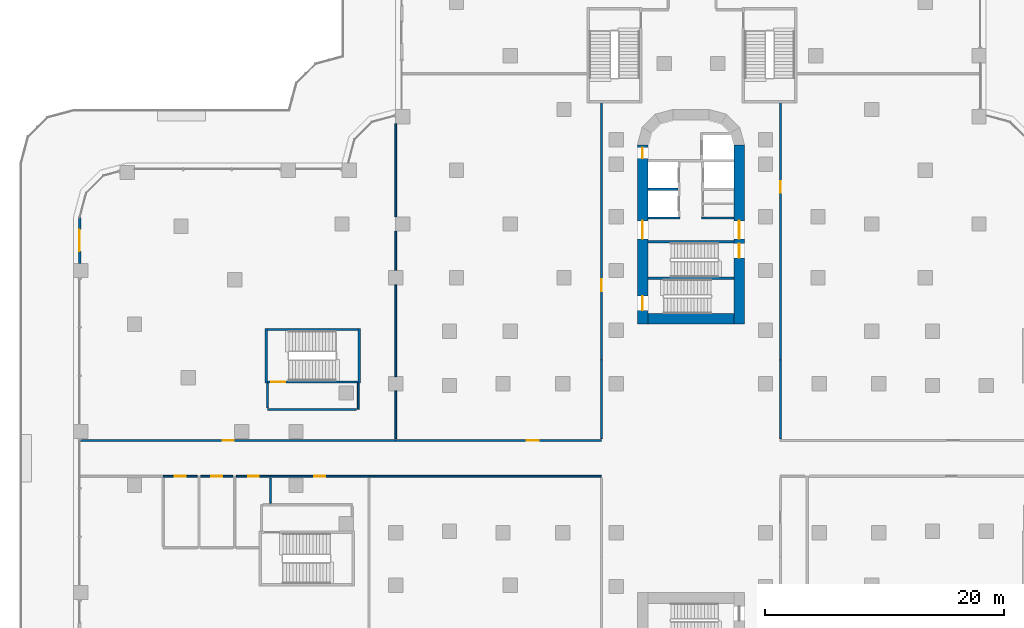
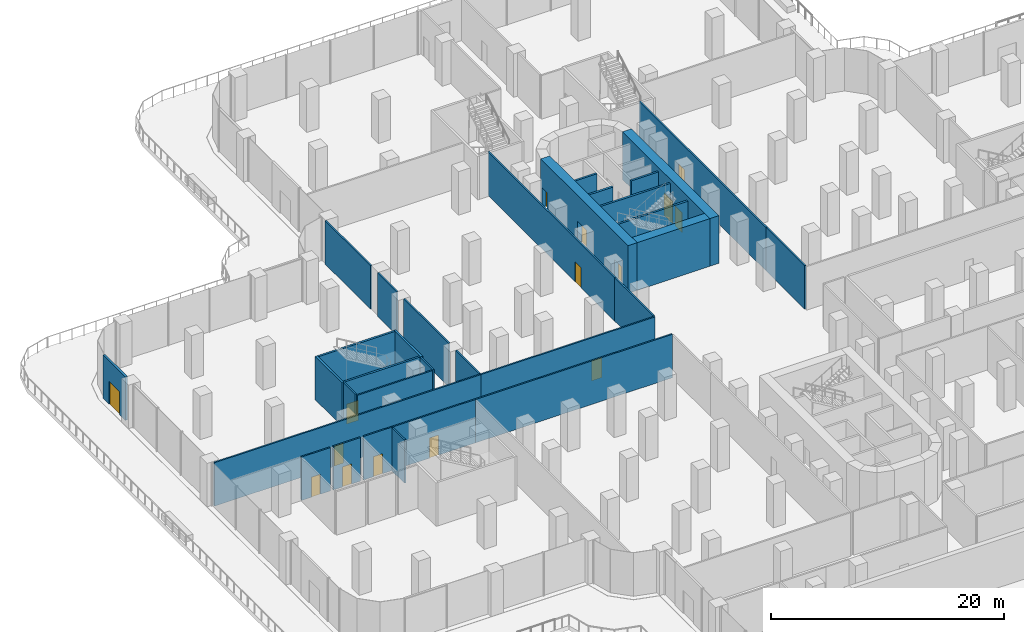
# One storey, part 20 of 30: 32 walls, 15 doors, 15 openings.
"""IFC4 building model written with IfcOpenShell, lengths in metres."""

from ifc_helpers import new_model, si_unit, direction, frame, frame_2d, origin, place, context, subcontext, project, spatial, rectangle, extrude, material, layer, layer_set, type_object, element, fill, save


model = new_model("IFC4")

# Units and contexts
model_context = context("Model", 3, precision=1e-05, world=origin(), true_north=direction((0.0, 1.0)))
body_context = subcontext(model_context, "Body", "Model", "MODEL_VIEW")
ifc_project = project(units=[si_unit("LENGTHUNIT", "METRE"), si_unit("AREAUNIT", "SQUARE_METRE"), si_unit("VOLUMEUNIT", "CUBIC_METRE"), si_unit("PLANEANGLEUNIT", "RADIAN"), si_unit("MASSUNIT", "GRAM", prefix="KILO")], contexts=[model_context])

# Site, building, storey
site_placement = place(None, origin())
site = spatial("IfcSite", under=ifc_project, at=site_placement, CompositionType="ELEMENT")
building_placement = place(site_placement, origin())
building = spatial("IfcBuilding", under=site, at=building_placement, Name="Zarbagh Exchange Tower", CompositionType="ELEMENT")
storey_placement = place(building_placement, frame((0.0, 0.0, 7.0)))
storey = spatial("IfcBuildingStorey", under=building, at=storey_placement, Name="L01", CompositionType="ELEMENT", Elevation=7.0)

# Walls
ifc_material_1 = material(Name="Plasterboard partition")
ifc_layer_1 = layer(ifc_material_1, 0.14990234375)
ifc_layer_set_1 = layer_set([ifc_layer_1], Name="Board partition 150")
wall_type_1 = type_object("IfcWallType", Name="Board partition 150", PredefinedType="PARTITIONING", material=ifc_layer_set_1)
wall_1_placement = place(storey_placement, frame((-27.89990234375, 6.300048828125, 0.0), z_axis=(0.0, 0.0, 1.0), x_axis=(0.0, -1.0, 0.0)))
element("IfcWall", 1, at=wall_1_placement, inside=storey, type_object=wall_type_1, Name="WL-L01-W011", PredefinedType="PARTITIONING", context=body_context, shape_type="SweptSolid", body=[
    extrude(rectangle(XDim=2.199951171875, YDim=0.14990234375, at=frame_2d((1.10009765625, 0.0))), origin(), (0.0, 0.0, 1.0), 4.550048828125),
])
wall_2_placement = place(storey_placement, frame((-28.050048828125, 4.10009765625, 0.0), z_axis=(0.0, 0.0, 1.0), x_axis=(-1.0, 0.0, 0.0)))
element("IfcWall", 2, at=wall_2_placement, inside=storey, type_object=wall_type_1, Name="WL-L01-W012", PredefinedType="PARTITIONING", context=body_context, shape_type="SweptSolid", body=[
    extrude(rectangle(XDim=7.449951171875, YDim=0.14990234375, at=frame_2d((3.72509765625, 0.0))), origin(), (0.0, 0.0, 1.0), 4.550048828125),
])
wall_3_placement = place(storey_placement, frame((-35.5, 4.25, 0.0), z_axis=(0.0, 0.0, 1.0), x_axis=(0.0, 1.0, 0.0)))
element("IfcWall", 3, at=wall_3_placement, inside=storey, type_object=wall_type_1, Name="WL-L01-W013", PredefinedType="PARTITIONING", context=body_context, shape_type="SweptSolid", body=[
    extrude(rectangle(XDim=2.050048828125, YDim=0.14990234375, at=frame_2d((1.02490234375, 0.0))), origin(), (0.0, 0.0, 1.0), 4.550048828125),
])

# Wall, opening, door
wall_4_placement = place(storey_placement, frame((-41.39990234375, -1.5, 0.0), z_axis=(0.0, 0.0, 1.0), x_axis=(-1.0, 0.0, 0.0)))
wall_4 = element("IfcWall", 4, at=wall_4_placement, inside=storey, type_object=wall_type_1, Name="WL-L01-W057", PredefinedType="PARTITIONING", context=body_context, shape_type="SweptSolid", body=[
    extrude(rectangle(XDim=2.85009765625, YDim=0.14990234375, at=frame_2d((1.425048828125, 0.0))), origin(), (0.0, 0.0, 1.0), 4.550048828125),
])
opening_1_placement = place(wall_4_placement, frame((0.97509765625, 0.0, 0.0)))
opening_1 = element("IfcOpeningElement", 5, at=opening_1_placement, cuts=wall_4, Name="Opening D10", PredefinedType="OPENING", context=body_context, shape_type="SweptSolid", body=[
    extrude(rectangle(XDim=0.89990234375, YDim=2.10009765625, at=frame_2d((0.449951171875, 1.050048828125))), frame((0.0, 0.0849609375, 0.0), z_axis=(0.0, -1.0, 0.0), x_axis=(1.0, 0.0, 0.0)), (0.0, 0.0, 1.0), 0.169921875),
])
ifc_material_2 = material(Name="Timber door leaf", Category="wood")
door_type_1 = type_object("IfcDoorType", Name="Door single 900x2100", OperationType="SINGLE_SWING_LEFT", PredefinedType="DOOR", material=ifc_material_2)
door_1_placement = place(opening_1_placement, origin())
door_1 = element("IfcDoor", 6, at=door_1_placement, inside=storey, type_object=door_type_1, Name="D10", OperationType="SINGLE_SWING_LEFT", OverallHeight=2.10009765625, OverallWidth=0.89990234375, PredefinedType="DOOR", context=body_context, shape_type="SweptSolid", body=[
    extrude(rectangle(XDim=0.89990234375, YDim=2.10009765625, at=frame_2d((0.449951171875, 1.050048828125))), frame((0.0, 0.02490234375, 0.0), z_axis=(0.0, -1.0, 0.0), x_axis=(1.0, 0.0, 0.0)), (0.0, 0.0, 1.0), 0.050048828125),
])
fill(opening_1, door_1)

wall_5_placement = place(storey_placement, frame((-38.39990234375, -1.5, 0.0), z_axis=(0.0, 0.0, 1.0), x_axis=(-1.0, 0.0, 0.0)))
wall_5 = element("IfcWall", 7, at=wall_5_placement, inside=storey, type_object=wall_type_1, Name="WL-L01-W061", PredefinedType="PARTITIONING", context=body_context, shape_type="SweptSolid", body=[
    extrude(rectangle(XDim=2.7001953125, YDim=0.14990234375, at=frame_2d((1.35009765625, 0.0))), origin(), (0.0, 0.0, 1.0), 4.550048828125),
])
opening_2_placement = place(wall_5_placement, frame((0.89990234375, 0.0, 0.0)))
opening_2 = element("IfcOpeningElement", 8, at=opening_2_placement, cuts=wall_5, Name="Opening D11", PredefinedType="OPENING", context=body_context, shape_type="SweptSolid", body=[
    extrude(rectangle(XDim=0.89990234375, YDim=2.10009765625, at=frame_2d((0.449951171875, 1.050048828125))), frame((0.0, 0.0849609375, 0.0), z_axis=(0.0, -1.0, 0.0), x_axis=(1.0, 0.0, 0.0)), (0.0, 0.0, 1.0), 0.169921875),
])
door_2_placement = place(opening_2_placement, origin())
door_2 = element("IfcDoor", 9, at=door_2_placement, inside=storey, type_object=door_type_1, Name="D11", OperationType="SINGLE_SWING_LEFT", OverallHeight=2.10009765625, OverallWidth=0.89990234375, PredefinedType="DOOR", context=body_context, shape_type="SweptSolid", body=[
    extrude(rectangle(XDim=0.89990234375, YDim=2.10009765625, at=frame_2d((0.449951171875, 1.050048828125))), frame((0.0, 0.02490234375, 0.0), z_axis=(0.0, -1.0, 0.0), x_axis=(1.0, 0.0, 0.0)), (0.0, 0.0, 1.0), 0.050048828125),
])
fill(opening_2, door_2)

wall_6_placement = place(storey_placement, frame((-35.25, -1.5, 0.0), z_axis=(0.0, 0.0, 1.0), x_axis=(-1.0, 0.0, 0.0)))
wall_6 = element("IfcWall", 10, at=wall_6_placement, inside=storey, type_object=wall_type_1, Name="WL-L01-W063", PredefinedType="PARTITIONING", context=body_context, shape_type="SweptSolid", body=[
    extrude(rectangle(XDim=2.85009765625, YDim=0.14990234375, at=frame_2d((1.425048828125, 0.0))), origin(), (0.0, 0.0, 1.0), 4.550048828125),
])
opening_3_placement = place(wall_6_placement, frame((0.97509765625, 0.0, 0.0)))
opening_3 = element("IfcOpeningElement", 11, at=opening_3_placement, cuts=wall_6, Name="Opening D12", PredefinedType="OPENING", context=body_context, shape_type="SweptSolid", body=[
    extrude(rectangle(XDim=0.89990234375, YDim=2.10009765625, at=frame_2d((0.449951171875, 1.050048828125))), frame((0.0, 0.0849609375, 0.0), z_axis=(0.0, -1.0, 0.0), x_axis=(1.0, 0.0, 0.0)), (0.0, 0.0, 1.0), 0.169921875),
])
door_3_placement = place(opening_3_placement, origin())
door_3 = element("IfcDoor", 12, at=door_3_placement, inside=storey, type_object=door_type_1, Name="D12", OperationType="SINGLE_SWING_LEFT", OverallHeight=2.10009765625, OverallWidth=0.89990234375, PredefinedType="DOOR", context=body_context, shape_type="SweptSolid", body=[
    extrude(rectangle(XDim=0.89990234375, YDim=2.10009765625, at=frame_2d((0.449951171875, 1.050048828125))), frame((0.0, 0.02490234375, 0.0), z_axis=(0.0, -1.0, 0.0), x_axis=(1.0, 0.0, 0.0)), (0.0, 0.0, 1.0), 0.050048828125),
])
fill(opening_3, door_3)

# Wall
wall_7_placement = place(storey_placement, frame((-35.25, -1.64990234375, 0.0), z_axis=(0.0, 0.0, 1.0), x_axis=(0.0, -1.0, 0.0)))
element("IfcWall", 13, at=wall_7_placement, inside=storey, type_object=wall_type_1, Name="WL-L01-W065", PredefinedType="PARTITIONING", context=body_context, shape_type="SweptSolid", body=[
    extrude(rectangle(XDim=2.10009765625, YDim=0.14990234375, at=frame_2d((1.050048828125, 0.0))), origin(), (0.0, 0.0, 1.0), 4.550048828125),
])

# Wall, opening, door
wall_8_placement = place(storey_placement, frame((7.5, 30.0, 0.0), z_axis=(0.0, 0.0, 1.0), x_axis=(0.0, -1.0, 0.0)))
wall_8 = element("IfcWall", 14, at=wall_8_placement, inside=storey, type_object=wall_type_1, Name="WL-L01-W066", PredefinedType="PARTITIONING", context=body_context, shape_type="SweptSolid", body=[
    extrude(rectangle(XDim=21.75, YDim=0.14990234375, at=frame_2d((10.875, 0.0))), origin(), (0.0, 0.0, 1.0), 4.550048828125),
])
opening_4_placement = place(wall_8_placement, frame((6.75, 0.0, 0.0)))
opening_4 = element("IfcOpeningElement", 15, at=opening_4_placement, cuts=wall_8, Name="Opening D57", PredefinedType="OPENING", context=body_context, shape_type="SweptSolid", body=[
    extrude(rectangle(XDim=1.0, YDim=2.10009765625, at=frame_2d((0.5, 1.050048828125))), frame((0.0, 0.0849609375, 0.0), z_axis=(0.0, -1.0, 0.0), x_axis=(1.0, 0.0, 0.0)), (0.0, 0.0, 1.0), 0.169921875),
])
door_type_2 = type_object("IfcDoorType", Name="Door single 1000x2100", OperationType="SINGLE_SWING_LEFT", PredefinedType="DOOR", material=ifc_material_2)
door_4_placement = place(opening_4_placement, origin())
door_4 = element("IfcDoor", 16, at=door_4_placement, inside=storey, type_object=door_type_2, Name="D13", OperationType="SINGLE_SWING_LEFT", OverallHeight=2.10009765625, OverallWidth=1.0, PredefinedType="DOOR", context=body_context, shape_type="SweptSolid", body=[
    extrude(rectangle(XDim=1.0, YDim=2.10009765625, at=frame_2d((0.5, 1.050048828125))), frame((0.0, 0.02490234375, 0.0), z_axis=(0.0, -1.0, 0.0), x_axis=(1.0, 0.0, 0.0)), (0.0, 0.0, 1.0), 0.050048828125),
])
fill(opening_4, door_4)

wall_9_placement = place(storey_placement, frame((-7.5, 8.25, 0.0), z_axis=(0.0, 0.0, 1.0), x_axis=(0.0, 1.0, 0.0)))
wall_9 = element("IfcWall", 17, at=wall_9_placement, inside=storey, type_object=wall_type_1, Name="WL-L01-W067", PredefinedType="PARTITIONING", context=body_context, shape_type="SweptSolid", body=[
    extrude(rectangle(XDim=21.75, YDim=0.14990234375, at=frame_2d((10.875, 0.0))), origin(), (0.0, 0.0, 1.0), 4.550048828125),
])
opening_5_placement = place(wall_9_placement, frame((5.75, 0.0, 0.0)))
opening_5 = element("IfcOpeningElement", 18, at=opening_5_placement, cuts=wall_9, Name="Opening D59", PredefinedType="OPENING", context=body_context, shape_type="SweptSolid", body=[
    extrude(rectangle(XDim=1.0, YDim=2.10009765625, at=frame_2d((0.5, 1.050048828125))), frame((0.0, 0.0849609375, 0.0), z_axis=(0.0, -1.0, 0.0), x_axis=(1.0, 0.0, 0.0)), (0.0, 0.0, 1.0), 0.169921875),
])
door_5_placement = place(opening_5_placement, origin())
door_5 = element("IfcDoor", 19, at=door_5_placement, inside=storey, type_object=door_type_2, Name="D14", OperationType="SINGLE_SWING_LEFT", OverallHeight=2.10009765625, OverallWidth=1.0, PredefinedType="DOOR", context=body_context, shape_type="SweptSolid", body=[
    extrude(rectangle(XDim=1.0, YDim=2.10009765625, at=frame_2d((0.5, 1.050048828125))), frame((0.0, 0.02490234375, 0.0), z_axis=(0.0, -1.0, 0.0), x_axis=(1.0, 0.0, 0.0)), (0.0, 0.0, 1.0), 0.050048828125),
])
fill(opening_5, door_5)

wall_10_placement = place(storey_placement, frame((-24.75, 1.5, 0.0), z_axis=(0.0, 0.0, 1.0), x_axis=(1.0, 0.0, 0.0)))
wall_10 = element("IfcWall", 20, at=wall_10_placement, inside=storey, type_object=wall_type_1, Name="WL-L01-W074", PredefinedType="PARTITIONING", context=body_context, shape_type="SweptSolid", body=[
    extrude(rectangle(XDim=17.25, YDim=0.14990234375, at=frame_2d((8.625, 0.0))), origin(), (0.0, 0.0, 1.0), 4.550048828125),
])
opening_6_placement = place(wall_10_placement, frame((11.0, 0.0, 0.0)))
opening_6 = element("IfcOpeningElement", 21, at=opening_6_placement, cuts=wall_10, Name="Opening D19", PredefinedType="OPENING", context=body_context, shape_type="SweptSolid", body=[
    extrude(rectangle(XDim=1.0, YDim=2.10009765625, at=frame_2d((0.5, 1.050048828125))), frame((0.0, 0.0849609375, 0.0), z_axis=(0.0, -1.0, 0.0), x_axis=(1.0, 0.0, 0.0)), (0.0, 0.0, 1.0), 0.169921875),
])
door_6_placement = place(opening_6_placement, origin())
door_6 = element("IfcDoor", 22, at=door_6_placement, inside=storey, type_object=door_type_2, Name="D19", OperationType="SINGLE_SWING_LEFT", OverallHeight=2.10009765625, OverallWidth=1.0, PredefinedType="DOOR", context=body_context, shape_type="SweptSolid", body=[
    extrude(rectangle(XDim=1.0, YDim=2.10009765625, at=frame_2d((0.5, 1.050048828125))), frame((0.0, 0.02490234375, 0.0), z_axis=(0.0, -1.0, 0.0), x_axis=(1.0, 0.0, 0.0)), (0.0, 0.0, 1.0), 0.050048828125),
])
fill(opening_6, door_6)

wall_11_placement = place(storey_placement, frame((-51.14990234375, 1.5, 0.0), z_axis=(0.0, 0.0, 1.0), x_axis=(1.0, 0.0, 0.0)))
wall_11 = element("IfcWall", 23, at=wall_11_placement, inside=storey, type_object=wall_type_1, Name="WL-L01-W075", PredefinedType="PARTITIONING", context=body_context, shape_type="SweptSolid", body=[
    extrude(rectangle(XDim=26.39990234375, YDim=0.14990234375, at=frame_2d((13.199951171875, 0.0))), origin(), (0.0, 0.0, 1.0), 4.550048828125),
])
opening_7_placement = place(wall_11_placement, frame((11.89990234375, 0.0, 0.0)))
opening_7 = element("IfcOpeningElement", 24, at=opening_7_placement, cuts=wall_11, Name="Opening D20", PredefinedType="OPENING", context=body_context, shape_type="SweptSolid", body=[
    extrude(rectangle(XDim=0.89990234375, YDim=2.10009765625, at=frame_2d((0.449951171875, 1.050048828125))), frame((0.0, 0.0849609375, 0.0), z_axis=(0.0, -1.0, 0.0), x_axis=(1.0, 0.0, 0.0)), (0.0, 0.0, 1.0), 0.169921875),
])
door_7_placement = place(opening_7_placement, origin())
door_7 = element("IfcDoor", 25, at=door_7_placement, inside=storey, type_object=door_type_1, Name="D20", OperationType="SINGLE_SWING_LEFT", OverallHeight=2.10009765625, OverallWidth=0.89990234375, PredefinedType="DOOR", context=body_context, shape_type="SweptSolid", body=[
    extrude(rectangle(XDim=0.89990234375, YDim=2.10009765625, at=frame_2d((0.449951171875, 1.050048828125))), frame((0.0, 0.02490234375, 0.0), z_axis=(0.0, -1.0, 0.0), x_axis=(1.0, 0.0, 0.0)), (0.0, 0.0, 1.0), 0.050048828125),
])
fill(opening_7, door_7)

# Wall
wall_12_placement = place(storey_placement, frame((-7.5, -1.5, 0.0), z_axis=(0.0, 0.0, 1.0), x_axis=(-1.0, 0.0, 0.0)))
element("IfcWall", 26, at=wall_12_placement, inside=storey, type_object=wall_type_1, Name="WL-L01-W076", PredefinedType="PARTITIONING", context=body_context, shape_type="SweptSolid", body=[
    extrude(rectangle(XDim=19.5, YDim=0.14990234375, at=frame_2d((9.75, 0.0))), origin(), (0.0, 0.0, 1.0), 4.550048828125),
])

# Wall, opening, door
wall_13_placement = place(storey_placement, frame((-27.0, -1.5, 0.0), z_axis=(0.0, 0.0, 1.0), x_axis=(-1.0, 0.0, 0.0)))
wall_13 = element("IfcWall", 27, at=wall_13_placement, inside=storey, type_object=wall_type_1, Name="WL-L01-W078", PredefinedType="PARTITIONING", context=body_context, shape_type="SweptSolid", body=[
    extrude(rectangle(XDim=8.25, YDim=0.14990234375, at=frame_2d((4.125, 0.0))), origin(), (0.0, 0.0, 1.0), 4.550048828125),
])
opening_8_placement = place(wall_13_placement, frame((3.675048828125, 0.0, 0.0)))
opening_8 = element("IfcOpeningElement", 28, at=opening_8_placement, cuts=wall_13, Name="Opening D21", PredefinedType="OPENING", context=body_context, shape_type="SweptSolid", body=[
    extrude(rectangle(XDim=0.89990234375, YDim=2.10009765625, at=frame_2d((0.449951171875, 1.050048828125))), frame((0.0, 0.0849609375, 0.0), z_axis=(0.0, -1.0, 0.0), x_axis=(1.0, 0.0, 0.0)), (0.0, 0.0, 1.0), 0.169921875),
])
door_8_placement = place(opening_8_placement, origin())
door_8 = element("IfcDoor", 29, at=door_8_placement, inside=storey, type_object=door_type_1, Name="D21", OperationType="SINGLE_SWING_LEFT", OverallHeight=2.10009765625, OverallWidth=0.89990234375, PredefinedType="DOOR", context=body_context, shape_type="SweptSolid", body=[
    extrude(rectangle(XDim=0.89990234375, YDim=2.10009765625, at=frame_2d((0.449951171875, 1.050048828125))), frame((0.0, 0.02490234375, 0.0), z_axis=(0.0, -1.0, 0.0), x_axis=(1.0, 0.0, 0.0)), (0.0, 0.0, 1.0), 0.050048828125),
])
fill(opening_8, door_8)

# Walls
wall_14_placement = place(storey_placement, frame((7.5, 1.64990234375, 0.0), z_axis=(0.0, 0.0, 1.0), x_axis=(0.0, 1.0, 0.0)))
element("IfcWall", 30, at=wall_14_placement, inside=storey, type_object=wall_type_1, Name="WL-L01-W089", PredefinedType="PARTITIONING", context=body_context, shape_type="SweptSolid", body=[
    extrude(rectangle(XDim=6.60009765625, YDim=0.14990234375, at=frame_2d((3.300048828125, 0.0))), origin(), (0.0, 0.0, 1.0), 4.550048828125),
])
wall_15_placement = place(storey_placement, frame((-24.75, 1.64990234375, 0.0), z_axis=(0.0, 0.0, 1.0), x_axis=(0.0, 1.0, 0.0)))
element("IfcWall", 31, at=wall_15_placement, inside=storey, type_object=wall_type_1, Name="WL-L01-W090", PredefinedType="PARTITIONING", context=body_context, shape_type="SweptSolid", body=[
    extrude(rectangle(XDim=4.0, YDim=0.14990234375, at=frame_2d((2.0, 0.0))), origin(), (0.0, 0.0, 1.0), 4.550048828125),
])
wall_16_placement = place(storey_placement, frame((-24.75, 6.85009765625, 0.0), z_axis=(0.0, 0.0, 1.0), x_axis=(0.0, 1.0, 0.0)))
element("IfcWall", 32, at=wall_16_placement, inside=storey, type_object=wall_type_1, Name="WL-L01-W091", PredefinedType="PARTITIONING", context=body_context, shape_type="SweptSolid", body=[
    extrude(rectangle(XDim=7.699951171875, YDim=0.14990234375, at=frame_2d((3.85009765625, 0.0))), origin(), (0.0, 0.0, 1.0), 4.550048828125),
])
wall_17_placement = place(storey_placement, frame((-24.75, 15.75, 0.0), z_axis=(0.0, 0.0, 1.0), x_axis=(0.0, 1.0, 0.0)))
element("IfcWall", 33, at=wall_17_placement, inside=storey, type_object=wall_type_1, Name="WL-L01-W092", PredefinedType="PARTITIONING", context=body_context, shape_type="SweptSolid", body=[
    extrude(rectangle(XDim=3.300048828125, YDim=0.14990234375, at=frame_2d((1.64990234375, 0.0))), origin(), (0.0, 0.0, 1.0), 4.550048828125),
])
wall_18_placement = place(storey_placement, frame((-24.75, 20.25, 0.0), z_axis=(0.0, 0.0, 1.0), x_axis=(0.0, 1.0, 0.0)))
element("IfcWall", 34, at=wall_18_placement, inside=storey, type_object=wall_type_1, Name="WL-L01-W093", PredefinedType="PARTITIONING", context=body_context, shape_type="SweptSolid", body=[
    extrude(rectangle(XDim=7.800048828125, YDim=0.14990234375, at=frame_2d((3.89990234375, 0.0))), origin(), (0.0, 0.0, 1.0), 4.550048828125),
])
wall_19_placement = place(storey_placement, frame((-7.5, 8.25, 0.0), z_axis=(0.0, 0.0, 1.0), x_axis=(0.0, -1.0, 0.0)))
element("IfcWall", 35, at=wall_19_placement, inside=storey, type_object=wall_type_1, Name="WL-L01-W095", PredefinedType="PARTITIONING", context=body_context, shape_type="SweptSolid", body=[
    extrude(rectangle(XDim=6.60009765625, YDim=0.14990234375, at=frame_2d((3.300048828125, 0.0))), origin(), (0.0, 0.0, 1.0), 4.550048828125),
])

# Wall, openings, doors
ifc_material_3 = material(Name="Concrete C60/75", Category="concrete")
ifc_layer_2 = layer(ifc_material_3, 0.89990234375)
ifc_layer_set_2 = layer_set([ifc_layer_2], Name="RC core wall 900 C60/75")
wall_type_2 = type_object("IfcWallType", Name="RC core wall 900 C60/75", PredefinedType="SHEAR", material=ifc_layer_set_2)
wall_20_placement = place(storey_placement, frame((-4.050048828125, 11.25, 0.0), z_axis=(0.0, 0.0, 1.0), x_axis=(0.0, 1.0, 0.0)))
wall_20 = element("IfcWall", 36, at=wall_20_placement, inside=storey, type_object=wall_type_2, Name="CW1 core N W", PredefinedType="SHEAR", context=body_context, shape_type="SweptSolid", body=[
    extrude(rectangle(XDim=15.0, YDim=0.89990234375, at=frame_2d((7.5, 0.0))), origin(), (0.0, 0.0, 1.0), 5.0),
])
opening_9_placement = place(wall_20_placement, frame((7.14990234375, 0.0, 0.0)))
opening_9 = element("IfcOpeningElement", 37, at=opening_9_placement, cuts=wall_20, Name="Opening CD1-1500", PredefinedType="OPENING", context=body_context, shape_type="SweptSolid", body=[
    extrude(rectangle(XDim=1.5, YDim=2.300048828125, at=frame_2d((0.75, 1.14990234375))), frame((0.0, 0.4599609375, 0.0), z_axis=(0.0, -1.0, 0.0), x_axis=(1.0, 0.0, 0.0)), (0.0, 0.0, 1.0), 0.919921875),
])
opening_10_placement = place(wall_20_placement, frame((13.89990234375, 0.0, 0.0)))
opening_10 = element("IfcOpeningElement", 38, at=opening_10_placement, cuts=wall_20, Name="Opening CD2-900", PredefinedType="OPENING", context=body_context, shape_type="SweptSolid", body=[
    extrude(rectangle(XDim=0.89990234375, YDim=2.10009765625, at=frame_2d((0.449951171875, 1.050048828125))), frame((0.0, 0.4599609375, 0.0), z_axis=(0.0, -1.0, 0.0), x_axis=(1.0, 0.0, 0.0)), (0.0, 0.0, 1.0), 0.919921875),
])
opening_11_placement = place(wall_20_placement, frame((1.14990234375, 0.0, 0.0)))
opening_11 = element("IfcOpeningElement", 39, at=opening_11_placement, cuts=wall_20, Name="Opening SD1-1200", PredefinedType="OPENING", context=body_context, shape_type="SweptSolid", body=[
    extrude(rectangle(XDim=1.199951171875, YDim=2.10009765625, at=frame_2d((0.60009765625, 1.050048828125))), frame((0.0, 0.4599609375, 0.0), z_axis=(0.0, -1.0, 0.0), x_axis=(1.0, 0.0, 0.0)), (0.0, 0.0, 1.0), 0.919921875),
])
ifc_material_4 = material(Name="Steel", Category="steel")
door_type_3 = type_object("IfcDoorType", Name="Exit stair door 1200 x 2100", OperationType="NOTDEFINED", PredefinedType="DOOR", material=ifc_material_4)
door_9_placement = place(opening_11_placement, origin())
door_9 = element("IfcDoor", 40, at=door_9_placement, inside=storey, type_object=door_type_3, Name="North core stair door ST2", OperationType="SINGLE_SWING_LEFT", OverallHeight=2.10009765625, OverallWidth=1.199951171875, PredefinedType="DOOR", context=body_context, shape_type="SweptSolid", body=[
    extrude(rectangle(XDim=1.199951171875, YDim=2.10009765625, at=frame_2d((0.60009765625, 1.050048828125))), frame((0.0, 0.02490234375, 0.0), z_axis=(0.0, -1.0, 0.0), x_axis=(1.0, 0.0, 0.0)), (0.0, 0.0, 1.0), 0.050048828125),
])
fill(opening_11, door_9)
door_type_4 = type_object("IfcDoorType", Name="Firefighting lobby door 900 x 2100", OperationType="NOTDEFINED", PredefinedType="DOOR", material=ifc_material_4)
door_10_placement = place(opening_10_placement, origin())
door_10 = element("IfcDoor", 41, at=door_10_placement, inside=storey, type_object=door_type_4, Name="North core firefighting lobby door FF-W", OperationType="SINGLE_SWING_LEFT", OverallHeight=2.10009765625, OverallWidth=0.89990234375, PredefinedType="DOOR", context=body_context, shape_type="SweptSolid", body=[
    extrude(rectangle(XDim=0.89990234375, YDim=2.10009765625, at=frame_2d((0.449951171875, 1.050048828125))), frame((0.0, 0.02490234375, 0.0), z_axis=(0.0, -1.0, 0.0), x_axis=(1.0, 0.0, 0.0)), (0.0, 0.0, 1.0), 0.050048828125),
])
fill(opening_10, door_10)
door_type_5 = type_object("IfcDoorType", Name="Lift lobby double door 1500 x 2300", OperationType="NOTDEFINED", PredefinedType="DOOR", material=ifc_material_4)
door_11_placement = place(opening_9_placement, origin())
door_11 = element("IfcDoor", 42, at=door_11_placement, inside=storey, type_object=door_type_5, Name="North core lift lobby door LOBBY-W", OperationType="DOUBLE_DOOR_SINGLE_SWING", OverallHeight=2.300048828125, OverallWidth=1.5, PredefinedType="DOOR", context=body_context, shape_type="SweptSolid", body=[
    extrude(rectangle(XDim=1.5, YDim=2.300048828125, at=frame_2d((0.75, 1.14990234375))), frame((0.0, 0.02490234375, 0.0), z_axis=(0.0, -1.0, 0.0), x_axis=(1.0, 0.0, 0.0)), (0.0, 0.0, 1.0), 0.050048828125),
])
fill(opening_9, door_11)

wall_21_placement = place(storey_placement, frame((4.050048828125, 11.25, 0.0), z_axis=(0.0, 0.0, 1.0), x_axis=(0.0, 1.0, 0.0)))
wall_21 = element("IfcWall", 43, at=wall_21_placement, inside=storey, type_object=wall_type_2, Name="CW1 core N E", PredefinedType="SHEAR", context=body_context, shape_type="SweptSolid", body=[
    extrude(rectangle(XDim=15.0, YDim=0.89990234375, at=frame_2d((7.5, 0.0))), origin(), (0.0, 0.0, 1.0), 5.0),
])
opening_12_placement = place(wall_21_placement, frame((7.14990234375, 0.0, 0.0)))
opening_12 = element("IfcOpeningElement", 44, at=opening_12_placement, cuts=wall_21, Name="Opening CD1-1500", PredefinedType="OPENING", context=body_context, shape_type="SweptSolid", body=[
    extrude(rectangle(XDim=1.5, YDim=2.300048828125, at=frame_2d((0.75, 1.14990234375))), frame((0.0, 0.4599609375, 0.0), z_axis=(0.0, -1.0, 0.0), x_axis=(1.0, 0.0, 0.0)), (0.0, 0.0, 1.0), 0.919921875),
])
opening_13_placement = place(wall_21_placement, frame((5.550048828125, 0.0, 0.0)))
opening_13 = element("IfcOpeningElement", 45, at=opening_13_placement, cuts=wall_21, Name="Opening SD1-1200", PredefinedType="OPENING", context=body_context, shape_type="SweptSolid", body=[
    extrude(rectangle(XDim=1.199951171875, YDim=2.10009765625, at=frame_2d((0.60009765625, 1.050048828125))), frame((0.0, 0.4599609375, 0.0), z_axis=(0.0, -1.0, 0.0), x_axis=(1.0, 0.0, 0.0)), (0.0, 0.0, 1.0), 0.919921875),
])
door_12_placement = place(opening_13_placement, origin())
door_12 = element("IfcDoor", 46, at=door_12_placement, inside=storey, type_object=door_type_3, Name="North core stair door ST1", OperationType="SINGLE_SWING_LEFT", OverallHeight=2.10009765625, OverallWidth=1.199951171875, PredefinedType="DOOR", context=body_context, shape_type="SweptSolid", body=[
    extrude(rectangle(XDim=1.199951171875, YDim=2.10009765625, at=frame_2d((0.60009765625, 1.050048828125))), frame((0.0, 0.02490234375, 0.0), z_axis=(0.0, -1.0, 0.0), x_axis=(1.0, 0.0, 0.0)), (0.0, 0.0, 1.0), 0.050048828125),
])
fill(opening_13, door_12)
door_13_placement = place(opening_12_placement, origin())
door_13 = element("IfcDoor", 47, at=door_13_placement, inside=storey, type_object=door_type_5, Name="North core lift lobby door LOBBY-E", OperationType="DOUBLE_DOOR_SINGLE_SWING", OverallHeight=2.300048828125, OverallWidth=1.5, PredefinedType="DOOR", context=body_context, shape_type="SweptSolid", body=[
    extrude(rectangle(XDim=1.5, YDim=2.300048828125, at=frame_2d((0.75, 1.14990234375))), frame((0.0, 0.02490234375, 0.0), z_axis=(0.0, -1.0, 0.0), x_axis=(1.0, 0.0, 0.0)), (0.0, 0.0, 1.0), 0.050048828125),
])
fill(opening_12, door_13)

# Walls
wall_22_placement = place(storey_placement, frame((-3.60009765625, 11.699951171875, 0.0), z_axis=(0.0, 0.0, 1.0), x_axis=(1.0, 0.0, 0.0)))
element("IfcWall", 48, at=wall_22_placement, inside=storey, type_object=wall_type_2, Name="CW1 core N inner end", PredefinedType="SHEAR", context=body_context, shape_type="SweptSolid", body=[
    extrude(rectangle(XDim=7.2001953125, YDim=0.89990234375, at=frame_2d((3.60009765625, 0.0))), origin(), (0.0, 0.0, 1.0), 5.0),
])
ifc_material_5 = material(Name="Dense blockwork", Category="masonry")
ifc_layer_3 = layer(ifc_material_5, 0.199951171875)
ifc_layer_set_3 = layer_set([ifc_layer_3], Name="Shaft wall 200 mm blockwork")
wall_type_3 = type_object("IfcWallType", Name="Shaft wall 200 mm blockwork", PredefinedType="PARTITIONING", material=ifc_layer_set_3)
for number, where, z_axis, x_axis, name in (
    (49, (-3.60009765625, 20.14990234375, 0.0), (0.0, 0.0, 1.0), (1.0, 0.0, 0.0), "North core shaft wall AB-W"),
    (50, (0.89990234375, 20.14990234375, 0.0), (0.0, 0.0, 1.0), (1.0, 0.0, 0.0), "North core shaft wall AB-E"),
):
    element("IfcWall", number, at=place(storey_placement, frame(where, z_axis=z_axis, x_axis=x_axis)), inside=storey, type_object=wall_type_3, Name=name, PredefinedType="PARTITIONING", context=body_context, shape_type="SweptSolid", body=[
        extrude(rectangle(XDim=2.7001953125, YDim=0.199951171875, at=frame_2d((1.35009765625, 0.0))), origin(), (0.0, 0.0, 1.0), 4.550048828125),
    ])
wall_23_placement = place(storey_placement, frame((-3.60009765625, 22.550048828125, 0.0), z_axis=(0.0, 0.0, 1.0), x_axis=(1.0, 0.0, 0.0)))
element("IfcWall", 51, at=wall_23_placement, inside=storey, type_object=wall_type_3, Name="North core shaft wall TR-W", PredefinedType="PARTITIONING", context=body_context, shape_type="SweptSolid", body=[
    extrude(rectangle(XDim=2.5, YDim=0.199951171875, at=frame_2d((1.25, 0.0))), origin(), (0.0, 0.0, 1.0), 4.550048828125),
])
ifc_material_6 = material(Name="Concrete C40/50", Category="concrete")
ifc_layer_4 = layer(ifc_material_6, 0.199951171875)
ifc_layer_set_4 = layer_set([ifc_layer_4], Name="Stair enclosure wall 200 mm RC C40/50")
wall_type_4 = type_object("IfcWallType", Name="Stair enclosure wall 200 mm RC C40/50", PredefinedType="SHEAR", material=ifc_layer_set_4)
for number, where, z_axis, x_axis, name in (
    (52, (-3.60009765625, 18.14990234375, 0.0), (0.0, 0.0, 1.0), (1.0, 0.0, 0.0), "North core stair wall BS"),
    (53, (-3.60009765625, 15.10009765625, 0.0), (0.0, 0.0, 1.0), (1.0, 0.0, 0.0), "North core stair wall ST12"),
):
    element("IfcWall", number, at=place(storey_placement, frame(where, z_axis=z_axis, x_axis=x_axis)), inside=storey, type_object=wall_type_4, Name=name, PredefinedType="SHEAR", context=body_context, shape_type="SweptSolid", body=[
        extrude(rectangle(XDim=7.2001953125, YDim=0.199951171875, at=frame_2d((3.60009765625, 0.0))), origin(), (0.0, 0.0, 1.0), 4.550048828125),
    ])
for number, where, z_axis, x_axis, name in (
    (54, (-35.60009765625, 6.300048828125, 0.0), (0.0, 0.0, 1.0), (0.0, 1.0, 0.0), "Exit stair PS5 enclosure wall W"),
    (55, (-27.800048828125, 6.300048828125, 0.0), (0.0, 0.0, 1.0), (0.0, 1.0, 0.0), "Exit stair PS5 enclosure wall E"),
):
    element("IfcWall", number, at=place(storey_placement, frame(where, z_axis=z_axis, x_axis=x_axis)), inside=storey, type_object=wall_type_4, Name=name, PredefinedType="SHEAR", context=body_context, shape_type="SweptSolid", body=[
        extrude(rectangle(XDim=4.599853515625, YDim=0.199951171875, at=frame_2d((2.2998046875, 0.0))), origin(), (0.0, 0.0, 1.0), 4.550048828125),
    ])

# Wall, opening, door
wall_24_placement = place(storey_placement, frame((-35.5, 6.39990234375, 0.0), z_axis=(0.0, 0.0, 1.0), x_axis=(1.0, 0.0, 0.0)))
wall_24 = element("IfcWall", 56, at=wall_24_placement, inside=storey, type_object=wall_type_4, Name="Exit stair PS5 enclosure wall S", PredefinedType="SHEAR", context=body_context, shape_type="SweptSolid", body=[
    extrude(rectangle(XDim=7.60009765625, YDim=0.199951171875, at=frame_2d((3.800048828125, 0.0))), origin(), (0.0, 0.0, 1.0), 4.550048828125),
])
opening_14_placement = place(wall_24_placement, frame((0.300048828125, 0.0, 0.0)))
opening_14 = element("IfcOpeningElement", 57, at=opening_14_placement, cuts=wall_24, Name="Opening SD1-1200", PredefinedType="OPENING", context=body_context, shape_type="SweptSolid", body=[
    extrude(rectangle(XDim=1.199951171875, YDim=2.10009765625, at=frame_2d((0.60009765625, 1.050048828125))), frame((0.0, 0.10986328125, 0.0), z_axis=(0.0, -1.0, 0.0), x_axis=(1.0, 0.0, 0.0)), (0.0, 0.0, 1.0), 0.219970703125),
])
door_14_placement = place(opening_14_placement, origin())
door_14 = element("IfcDoor", 58, at=door_14_placement, inside=storey, type_object=door_type_3, Name="Exit stair PS5 entry door", OperationType="SINGLE_SWING_RIGHT", OverallHeight=2.10009765625, OverallWidth=1.199951171875, PredefinedType="DOOR", context=body_context, shape_type="SweptSolid", body=[
    extrude(rectangle(XDim=1.199951171875, YDim=2.10009765625, at=frame_2d((0.60009765625, 1.050048828125))), frame((0.0, 0.02490234375, 0.0), z_axis=(0.0, -1.0, 0.0), x_axis=(1.0, 0.0, 0.0)), (0.0, 0.0, 1.0), 0.050048828125),
])
fill(opening_14, door_14)

# Wall
wall_25_placement = place(storey_placement, frame((-35.5, 10.800048828125, 0.0), z_axis=(0.0, 0.0, 1.0), x_axis=(1.0, 0.0, 0.0)))
element("IfcWall", 59, at=wall_25_placement, inside=storey, type_object=wall_type_4, Name="Exit stair PS5 enclosure wall N", PredefinedType="SHEAR", context=body_context, shape_type="SweptSolid", body=[
    extrude(rectangle(XDim=7.60009765625, YDim=0.199951171875, at=frame_2d((3.800048828125, 0.0))), origin(), (0.0, 0.0, 1.0), 4.550048828125),
])

# Wall, opening, door
ifc_material_7 = material(Name="Precast concrete C50/60", Category="concrete")
ifc_layer_5 = layer(ifc_material_7, 0.199951171875)
ifc_layer_set_5 = layer_set([ifc_layer_5], Name="Terrace door wall, precast concrete C50/60")
wall_type_5 = type_object("IfcWallType", Name="Terrace door wall, precast concrete C50/60", PredefinedType="SOLIDWALL", material=ifc_layer_set_5)
wall_26_placement = place(storey_placement, frame((-51.25, 20.18408203125, 0.0), z_axis=(0.0, 0.0, 1.0), x_axis=(0.0, -1.0, 0.0)))
wall_26 = element("IfcWall", 60, at=wall_26_placement, inside=storey, type_object=wall_type_5, Name="TW07 door wall", PredefinedType="SOLIDWALL", context=body_context, shape_type="SweptSolid", body=[
    extrude(rectangle(XDim=3.834228515625, YDim=0.199951171875, at=frame_2d((1.9169921875, 0.0))), origin(), (0.0, 0.0, 1.0), 4.550048828125),
])
opening_15_placement = place(wall_26_placement, frame((1.01708984375, 0.0, 0.0)))
opening_15 = element("IfcOpeningElement", 61, at=opening_15_placement, cuts=wall_26, Name="Opening TD03", PredefinedType="OPENING", context=body_context, shape_type="SweptSolid", body=[
    extrude(rectangle(XDim=1.800048828125, YDim=2.39990234375, at=frame_2d((0.89990234375, 1.199951171875))), frame((0.0, 0.10986328125, 0.0), z_axis=(0.0, -1.0, 0.0), x_axis=(1.0, 0.0, 0.0)), (0.0, 0.0, 1.0), 0.219970703125),
])
ifc_material_8 = material(Name="Anodised aluminium and glass", Category="aluminium")
door_type_6 = type_object("IfcDoorType", Name="Terrace door, double leaf, aluminium and glass", OperationType="DOUBLE_DOOR_DOUBLE_SWING", PredefinedType="DOOR", material=ifc_material_8)
door_15_placement = place(opening_15_placement, origin())
door_15 = element("IfcDoor", 62, at=door_15_placement, inside=storey, type_object=door_type_6, Name="TD03 terrace door", OperationType="SINGLE_SWING_LEFT", OverallHeight=2.39990234375, OverallWidth=1.800048828125, PredefinedType="DOOR", context=body_context, shape_type="SweptSolid", body=[
    extrude(rectangle(XDim=1.800048828125, YDim=2.39990234375, at=frame_2d((0.89990234375, 1.199951171875))), frame((0.0, 0.02490234375, 0.0), z_axis=(0.0, -1.0, 0.0), x_axis=(1.0, 0.0, 0.0)), (0.0, 0.0, 1.0), 0.050048828125),
])
fill(opening_15, door_15)

save(model, "model.ifc")
